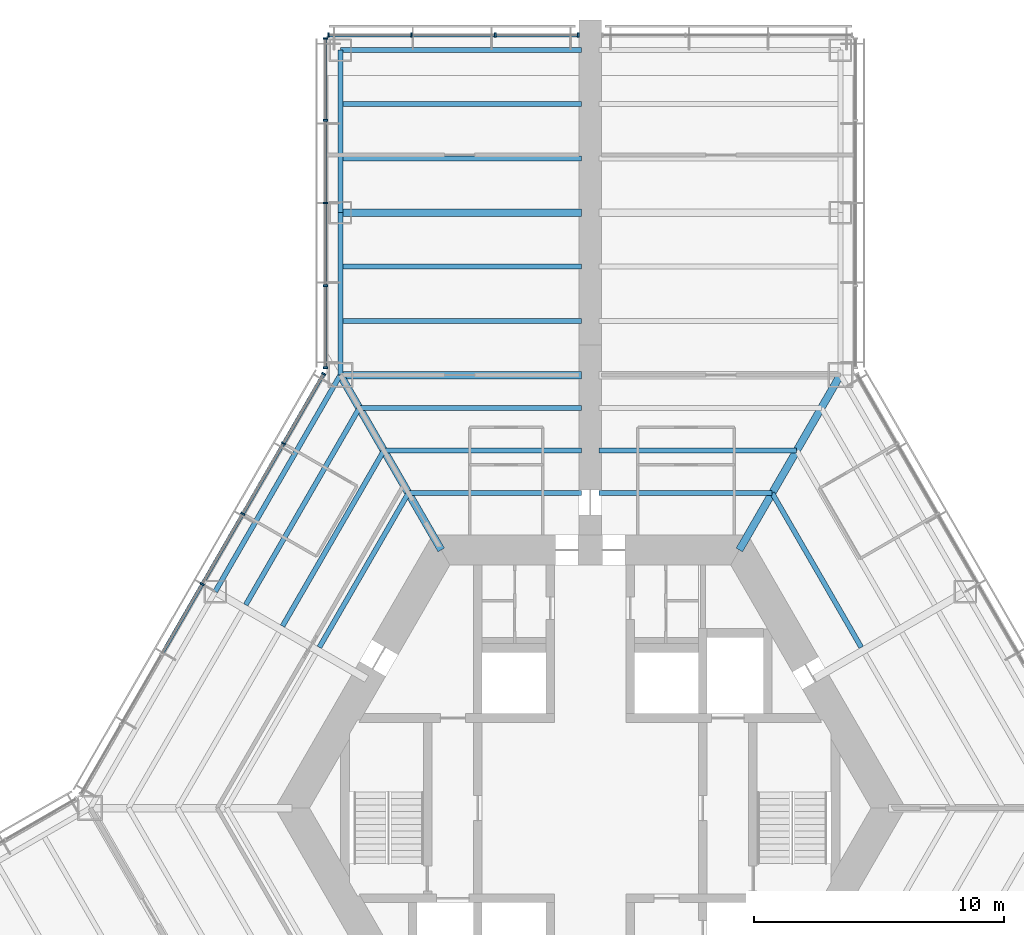
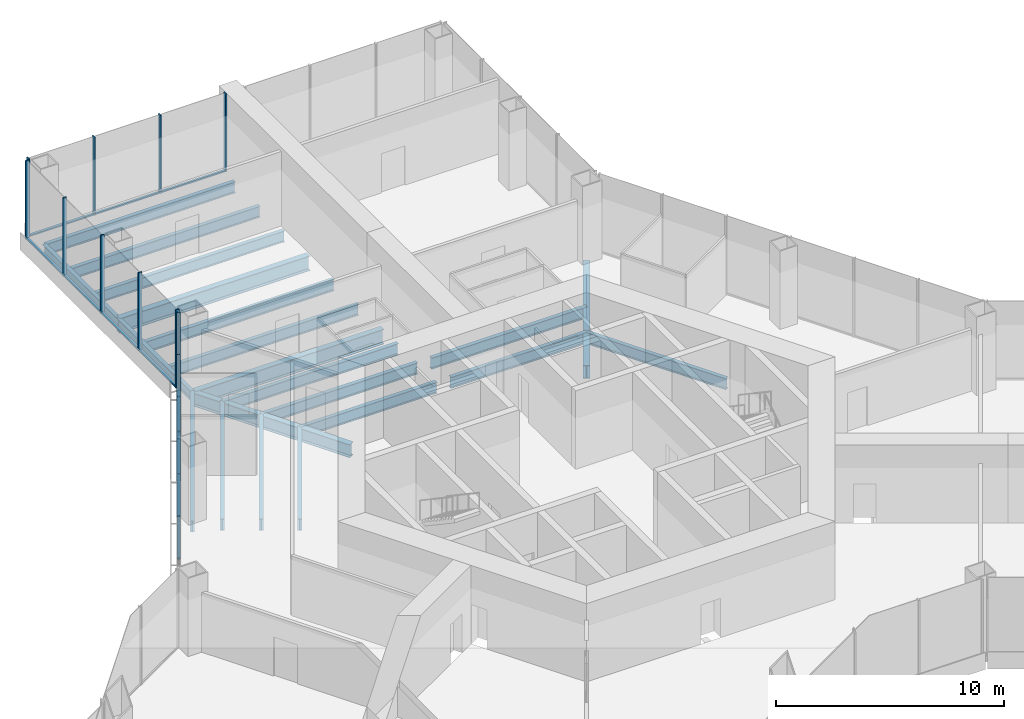
# One storey, part 6 of 16: 24 members, 21 beams, 3 elements without a shape of their own.
"""IFC4 building model written with IfcOpenShell, lengths in metres."""

from ifc_helpers import new_model, si_unit, direction, frame, origin, origin_2d, place, context, subcontext, project, spatial, rectangle, i_section, extrude, material, material_profile, profile_set, type_object, element, aggregate, save


model = new_model("IFC4")

# Units and contexts
model_context = context("Model", 3, precision=1e-05, world=origin(), true_north=direction((0.0, 1.0)))
body_context = subcontext(model_context, "Body", "Model", "MODEL_VIEW")
ifc_project = project(units=[si_unit("LENGTHUNIT", "METRE"), si_unit("AREAUNIT", "SQUARE_METRE"), si_unit("VOLUMEUNIT", "CUBIC_METRE"), si_unit("PLANEANGLEUNIT", "RADIAN"), si_unit("MASSUNIT", "GRAM", prefix="KILO")], contexts=[model_context])

# Site, building, storey
site_placement = place(None, origin())
site = spatial("IfcSite", under=ifc_project, at=site_placement, CompositionType="ELEMENT")
building_placement = place(site_placement, origin())
building = spatial("IfcBuilding", under=site, at=building_placement, Name="Kasaneha Research Tower", CompositionType="ELEMENT")
storey_placement = place(building_placement, frame((0.0, 0.0, 14.199951171875)))
storey = spatial("IfcBuildingStorey", under=building, at=storey_placement, Name="L04", CompositionType="ELEMENT", Elevation=14.199951171875)

# Beams
ifc_material_1 = material(Name="Steel SN490B", Category="steel")
ifc_material_profile_1 = material_profile(ifc_material_1, i_section(OverallWidth=0.199951171875, OverallDepth=0.60009765625, WebThickness=0.010986328125, FlangeThickness=0.01708984375, FilletRadius=0.012939453125, at=origin_2d()), Name="H-600x200x11x17")
ifc_profile_set_1 = profile_set([ifc_material_profile_1], Name="Steel SN490B")
beam_type_1 = type_object("IfcBeamType", Name="B1-1 secondary beam H-600x200x11x17", PredefinedType="JOIST", material=ifc_profile_set_1)
beam_1_placement = place(storey_placement, frame((7.274658203125, 12.60009765625, -0.5), z_axis=(0.499990404686, -0.866030943571, 0.0), x_axis=(0.866030943571, 0.499990404686, 0.0)))
element("IfcBeam", 1, at=beam_1_placement, inside=storey, type_object=beam_type_1, Name="Secondary beam RS030R1 L04", PredefinedType="JOIST", context=body_context, shape_type="SweptSolid", body=[
    extrude(i_section(OverallWidth=0.199951171875, OverallDepth=0.60009765625, WebThickness=0.010986328125, FlangeThickness=0.01708984375, FilletRadius=0.012939453125, at=origin_2d()), origin(), (0.0, 0.0, 1.0), 7.124755859375),
])
beam_2_placement = place(storey_placement, frame((7.274658203125, 12.60009765625, -0.5), z_axis=(-1.0, 0.0, 0.0), x_axis=(0.0, -1.0, 0.0)))
element("IfcBeam", 2, at=beam_2_placement, inside=storey, type_object=beam_type_1, Name="Secondary beam RS090L1 L04", PredefinedType="JOIST", context=body_context, shape_type="SweptSolid", body=[
    extrude(i_section(OverallWidth=0.199951171875, OverallDepth=0.60009765625, WebThickness=0.010986328125, FlangeThickness=0.01708984375, FilletRadius=0.012939453125, at=origin_2d()), origin(), (0.0, 0.0, 1.0), 6.924560546875),
])
beam_3_placement = place(storey_placement, frame((8.256103515625, 14.300048828125, -0.5), z_axis=(-1.0, 0.0, 0.0), x_axis=(0.0, -1.0, 0.0)))
element("IfcBeam", 3, at=beam_3_placement, inside=storey, type_object=beam_type_1, Name="Secondary beam RS090L2 L04", PredefinedType="JOIST", context=body_context, shape_type="SweptSolid", body=[
    extrude(i_section(OverallWidth=0.199951171875, OverallDepth=0.60009765625, WebThickness=0.010986328125, FlangeThickness=0.01708984375, FilletRadius=0.012939453125, at=origin_2d()), origin(), (0.0, 0.0, 1.0), 7.906005859375),
])
beam_4_placement = place(storey_placement, frame((-7.274658203125, 12.60009765625, -0.5), z_axis=(1.0, 0.0, 0.0), x_axis=(0.0, 1.0, 0.0)))
element("IfcBeam", 4, at=beam_4_placement, inside=storey, type_object=beam_type_1, Name="Secondary beam RS090R1 L04", PredefinedType="JOIST", context=body_context, shape_type="SweptSolid", body=[
    extrude(i_section(OverallWidth=0.199951171875, OverallDepth=0.60009765625, WebThickness=0.010986328125, FlangeThickness=0.01708984375, FilletRadius=0.012939453125, at=origin_2d()), origin(), (0.0, 0.0, 1.0), 6.924560546875),
])
beam_5_placement = place(storey_placement, frame((-8.256103515625, 14.300048828125, -0.5), z_axis=(1.0, 0.0, 0.0), x_axis=(0.0, 1.0, 0.0)))
element("IfcBeam", 5, at=beam_5_placement, inside=storey, type_object=beam_type_1, Name="Secondary beam RS090R2 L04", PredefinedType="JOIST", context=body_context, shape_type="SweptSolid", body=[
    extrude(i_section(OverallWidth=0.199951171875, OverallDepth=0.60009765625, WebThickness=0.010986328125, FlangeThickness=0.01708984375, FilletRadius=0.012939453125, at=origin_2d()), origin(), (0.0, 0.0, 1.0), 7.906005859375),
])
beam_6_placement = place(storey_placement, frame((-9.237548828125, 16.0, -0.5), z_axis=(1.0, 0.0, 0.0), x_axis=(0.0, 1.0, 0.0)))
element("IfcBeam", 6, at=beam_6_placement, inside=storey, type_object=beam_type_1, Name="Secondary beam RS090R3 L04", PredefinedType="JOIST", context=body_context, shape_type="SweptSolid", body=[
    extrude(i_section(OverallWidth=0.199951171875, OverallDepth=0.60009765625, WebThickness=0.010986328125, FlangeThickness=0.01708984375, FilletRadius=0.012939453125, at=origin_2d()), origin(), (0.0, 0.0, 1.0), 8.887451171875),
])
beam_7_placement = place(storey_placement, frame((-7.274658203125, 12.60009765625, -0.5), z_axis=(-0.499990404686, -0.866030943571, 0.0), x_axis=(0.866030943571, -0.499990404686, 0.0)))
element("IfcBeam", 7, at=beam_7_placement, inside=storey, type_object=beam_type_1, Name="Secondary beam RS150L1 L04", PredefinedType="JOIST", context=body_context, shape_type="SweptSolid", body=[
    extrude(i_section(OverallWidth=0.199951171875, OverallDepth=0.60009765625, WebThickness=0.010986328125, FlangeThickness=0.01708984375, FilletRadius=0.012939453125, at=origin_2d()), origin(), (0.0, 0.0, 1.0), 7.124755859375),
])
beam_8_placement = place(storey_placement, frame((-8.256103515625, 14.300048828125, -0.5), z_axis=(-0.499984030215, -0.866034623748, 0.0), x_axis=(0.866034623748, -0.499984030215, 0.0)))
element("IfcBeam", 8, at=beam_8_placement, inside=storey, type_object=beam_type_1, Name="Secondary beam RS150L2 L04", PredefinedType="JOIST", context=body_context, shape_type="SweptSolid", body=[
    extrude(i_section(OverallWidth=0.199951171875, OverallDepth=0.60009765625, WebThickness=0.010986328125, FlangeThickness=0.01708984375, FilletRadius=0.012939453125, at=origin_2d()), origin(), (0.0, 0.0, 1.0), 8.106201171875),
])
beam_9_placement = place(storey_placement, frame((-9.237548828125, 16.0, -0.5), z_axis=(-0.500010814234, -0.866019160093, 0.0), x_axis=(0.866019160093, -0.500010814234, 0.0)))
element("IfcBeam", 9, at=beam_9_placement, inside=storey, type_object=beam_type_1, Name="Secondary beam RS150L3 L04", PredefinedType="JOIST", context=body_context, shape_type="SweptSolid", body=[
    extrude(i_section(OverallWidth=0.199951171875, OverallDepth=0.60009765625, WebThickness=0.010986328125, FlangeThickness=0.01708984375, FilletRadius=0.012939453125, at=origin_2d()), origin(), (0.0, 0.0, 1.0), 9.087646484375),
])
ifc_material_2 = material(Name="Steel SN490B", Category="steel")
ifc_material_profile_2 = material_profile(ifc_material_2, i_section(OverallWidth=0.198974609375, OverallDepth=0.595947265625, WebThickness=0.010009765625, FlangeThickness=0.014892578125, FilletRadius=0.012939453125, at=origin_2d()), Name="H-596x199x10x15")
ifc_profile_set_2 = profile_set([ifc_material_profile_2], Name="Steel SN490B")
beam_type_2 = type_object("IfcBeamType", Name="B2-1 secondary beam H-596x199x10x15", PredefinedType="JOIST", material=ifc_profile_set_2)
for number, where, z_axis, x_axis, name in (
    (10, (-10.0, 19.487060546875, -0.498046875), (1.0, 0.0, 0.0), (0.0, 1.0, 0.0), "Secondary beam WBAN1 L04"),
    (11, (-10.0, 21.65380859375, -0.498046875), (1.0, 0.0, 0.0), (0.0, 1.0, 0.0), "Secondary beam WBAN2 L04"),
    (12, (-10.0, 25.987060546875, -0.498046875), (1.0, 0.0, 0.0), (0.0, 1.0, 0.0), "Secondary beam WBAN3 L04"),
    (13, (-10.0, 28.15380859375, -0.498046875), (1.0, 0.0, 0.0), (0.0, 1.0, 0.0), "Secondary beam WBAN4 L04"),
):
    element("IfcBeam", number, at=place(storey_placement, frame(where, z_axis=z_axis, x_axis=x_axis)), inside=storey, type_object=beam_type_2, Name=name, PredefinedType="JOIST", context=body_context, shape_type="SweptSolid", body=[
        extrude(i_section(OverallWidth=0.198974609375, OverallDepth=0.595947265625, WebThickness=0.010009765625, FlangeThickness=0.014892578125, FilletRadius=0.012939453125, at=origin_2d()), origin(), (0.0, 0.0, 1.0), 9.64990234375),
    ])

# Curtain wall, members
ifc_material_3 = material(Name="Glass and aluminium", Category="aluminium")
curtain_wall_type = type_object("IfcCurtainWallType", Name="Wet laboratory curtain wall", PredefinedType="USERDEFINED", material=ifc_material_3)
curtain_wall_1_placement = place(storey_placement, origin())
curtain_wall_1 = element("IfcCurtainWall", 14, at=curtain_wall_1_placement, inside=storey, type_object=curtain_wall_type, Name="CW-L1 L04 run 10a", ObjectType="UNITISED CURTAIN WALL", PredefinedType="USERDEFINED")
ifc_material_4 = material(Name="Aluminium 6063-T6", Category="aluminium")
ifc_material_profile_3 = material_profile(ifc_material_4, rectangle(XDim=0.06494140625, YDim=0.179931640625, at=origin_2d()), Name="CW-L1 mullion 65x180")
ifc_profile_set_3 = profile_set([ifc_material_profile_3], Name="Aluminium 6063-T6")
member_type_1 = type_object("IfcMemberType", Name="CW-L1 mullion", PredefinedType="MULLION", material=ifc_profile_set_3)
member_1_placement = place(storey_placement, frame((-0.482421875, 30.92041015625, 0.0), z_axis=(0.0, 0.0, 1.0), x_axis=(-1.0, 0.0, 0.0)))
member_1 = element("IfcMember", 15, at=member_1_placement, type_object=member_type_1, Name="CW-L1 mullion 1", PredefinedType="MULLION", context=body_context, shape_type="SweptSolid", body=[
    extrude(rectangle(XDim=0.06494140625, YDim=0.179931640625, at=origin_2d()), origin(), (0.0, 0.0, 1.0), 4.199951171875),
])
member_2_placement = place(storey_placement, frame((-3.800048828125, 30.92041015625, 0.0), z_axis=(0.0, 0.0, 1.0), x_axis=(-1.0, 0.0, 0.0)))
member_2 = element("IfcMember", 16, at=member_2_placement, type_object=member_type_1, Name="CW-L1 mullion 2", PredefinedType="MULLION", context=body_context, shape_type="SweptSolid", body=[
    extrude(rectangle(XDim=0.06494140625, YDim=0.179931640625, at=origin_2d()), origin(), (0.0, 0.0, 1.0), 4.199951171875),
])
member_3_placement = place(storey_placement, frame((-7.14990234375, 30.92041015625, 0.0), z_axis=(0.0, 0.0, 1.0), x_axis=(-1.0, 0.0, 0.0)))
member_3 = element("IfcMember", 17, at=member_3_placement, type_object=member_type_1, Name="CW-L1 mullion 3", PredefinedType="MULLION", context=body_context, shape_type="SweptSolid", body=[
    extrude(rectangle(XDim=0.06494140625, YDim=0.179931640625, at=origin_2d()), origin(), (0.0, 0.0, 1.0), 4.199951171875),
])
member_4_placement = place(storey_placement, frame((-10.467529296875, 30.92041015625, 0.0), z_axis=(0.0, 0.0, 1.0), x_axis=(-1.0, 0.0, 0.0)))
member_4 = element("IfcMember", 18, at=member_4_placement, type_object=member_type_1, Name="CW-L1 mullion 4", PredefinedType="MULLION", context=body_context, shape_type="SweptSolid", body=[
    extrude(rectangle(XDim=0.06494140625, YDim=0.179931640625, at=origin_2d()), origin(), (0.0, 0.0, 1.0), 4.199951171875),
])

curtain_wall_2_placement = place(storey_placement, origin())
curtain_wall_2 = element("IfcCurtainWall", 19, at=curtain_wall_2_placement, inside=storey, type_object=curtain_wall_type, Name="CW-L1 L04 run 11a", ObjectType="UNITISED CURTAIN WALL", PredefinedType="USERDEFINED")
member_5_placement = place(storey_placement, frame((-10.60009765625, 30.7880859375, 0.0), z_axis=(0.0, 0.0, 1.0), x_axis=(0.0, -1.0, 0.0)))
member_5 = element("IfcMember", 20, at=member_5_placement, type_object=member_type_1, Name="CW-L1 mullion 1", PredefinedType="MULLION", context=body_context, shape_type="SweptSolid", body=[
    extrude(rectangle(XDim=0.06494140625, YDim=0.179931640625, at=origin_2d()), origin(), (0.0, 0.0, 1.0), 4.199951171875),
])
member_6_placement = place(storey_placement, frame((-10.60009765625, 27.5107421875, 0.0), z_axis=(0.0, 0.0, 1.0), x_axis=(0.0, -1.0, 0.0)))
member_6 = element("IfcMember", 21, at=member_6_placement, type_object=member_type_1, Name="CW-L1 mullion 2", PredefinedType="MULLION", context=body_context, shape_type="SweptSolid", body=[
    extrude(rectangle(XDim=0.06494140625, YDim=0.179931640625, at=origin_2d()), origin(), (0.0, 0.0, 1.0), 4.199951171875),
])
member_7_placement = place(storey_placement, frame((-10.60009765625, 24.200927734375, 0.0), z_axis=(0.0, 0.0, 1.0), x_axis=(0.0, -1.0, 0.0)))
member_7 = element("IfcMember", 22, at=member_7_placement, type_object=member_type_1, Name="CW-L1 mullion 3", PredefinedType="MULLION", context=body_context, shape_type="SweptSolid", body=[
    extrude(rectangle(XDim=0.06494140625, YDim=0.179931640625, at=origin_2d()), origin(), (0.0, 0.0, 1.0), 4.199951171875),
])
member_8_placement = place(storey_placement, frame((-10.60009765625, 20.89111328125, 0.0), z_axis=(0.0, 0.0, 1.0), x_axis=(0.0, -1.0, 0.0)))
member_8 = element("IfcMember", 23, at=member_8_placement, type_object=member_type_1, Name="CW-L1 mullion 4", PredefinedType="MULLION", context=body_context, shape_type="SweptSolid", body=[
    extrude(rectangle(XDim=0.06494140625, YDim=0.179931640625, at=origin_2d()), origin(), (0.0, 0.0, 1.0), 4.199951171875),
])
member_9_placement = place(storey_placement, frame((-10.60009765625, 17.61376953125, 0.0), z_axis=(0.0, 0.0, 1.0), x_axis=(0.0, -1.0, 0.0)))
member_9 = element("IfcMember", 24, at=member_9_placement, type_object=member_type_1, Name="CW-L1 mullion 5", PredefinedType="MULLION", context=body_context, shape_type="SweptSolid", body=[
    extrude(rectangle(XDim=0.06494140625, YDim=0.179931640625, at=origin_2d()), origin(), (0.0, 0.0, 1.0), 4.199951171875),
])

curtain_wall_3_placement = place(storey_placement, origin())
curtain_wall_3 = element("IfcCurtainWall", 25, at=curtain_wall_3_placement, inside=storey, type_object=curtain_wall_type, Name="CW-L1 L04 run 12a", ObjectType="UNITISED CURTAIN WALL", PredefinedType="USERDEFINED")
member_10_placement = place(storey_placement, frame((-10.666259765625, 17.366455078125, 0.0), z_axis=(0.0, 0.0, 1.0), x_axis=(-0.49999996188, -0.866025425793, 0.0)))
member_10 = element("IfcMember", 26, at=member_10_placement, type_object=member_type_1, Name="CW-L1 mullion 1", PredefinedType="MULLION", context=body_context, shape_type="SweptSolid", body=[
    extrude(rectangle(XDim=0.06494140625, YDim=0.179931640625, at=origin_2d()), origin(), (0.0, 0.0, 1.0), 4.199951171875),
])
member_11_placement = place(storey_placement, frame((-12.273193359375, 14.583251953125, 0.0), z_axis=(0.0, 0.0, 1.0), x_axis=(-0.49999996188, -0.866025425793, 0.0)))
member_11 = element("IfcMember", 27, at=member_11_placement, type_object=member_type_1, Name="CW-L1 mullion 2", PredefinedType="MULLION", context=body_context, shape_type="SweptSolid", body=[
    extrude(rectangle(XDim=0.06494140625, YDim=0.179931640625, at=origin_2d()), origin(), (0.0, 0.0, 1.0), 4.199951171875),
])
member_12_placement = place(storey_placement, frame((-13.896484375, 11.771728515625, 0.0), z_axis=(0.0, 0.0, 1.0), x_axis=(-0.49999996188, -0.866025425793, 0.0)))
member_12 = element("IfcMember", 28, at=member_12_placement, type_object=member_type_1, Name="CW-L1 mullion 3", PredefinedType="MULLION", context=body_context, shape_type="SweptSolid", body=[
    extrude(rectangle(XDim=0.06494140625, YDim=0.179931640625, at=origin_2d()), origin(), (0.0, 0.0, 1.0), 4.199951171875),
])
member_13_placement = place(storey_placement, frame((-15.51953125, 8.960205078125, 0.0), z_axis=(0.0, 0.0, 1.0), x_axis=(-0.49999996188, -0.866025425793, 0.0)))
member_13 = element("IfcMember", 29, at=member_13_placement, type_object=member_type_1, Name="CW-L1 mullion 4", PredefinedType="MULLION", context=body_context, shape_type="SweptSolid", body=[
    extrude(rectangle(XDim=0.06494140625, YDim=0.179931640625, at=origin_2d()), origin(), (0.0, 0.0, 1.0), 4.199951171875),
])

# Member
ifc_material_5 = material(Name="Aluminium 6063-T6", Category="aluminium")
ifc_material_profile_4 = material_profile(ifc_material_5, rectangle(XDim=0.139892578125, YDim=0.06494140625, at=origin_2d()), Name="CW-L1 transom 140x65")
ifc_profile_set_4 = profile_set([ifc_material_profile_4], Name="Aluminium 6063-T6")
member_type_2 = type_object("IfcMemberType", Name="CW-L1 transom", PredefinedType="USERDEFINED", material=ifc_profile_set_4)
member_14_placement = place(storey_placement, frame((-0.514892578125, 30.92041015625, 0.032470703125), z_axis=(-1.0, 0.0, 0.0), x_axis=(0.0, -1.0, 0.0)))
member_14 = element("IfcMember", 30, at=member_14_placement, type_object=member_type_2, Name="CW-L1 transom 1", ObjectType="TRANSOM", PredefinedType="USERDEFINED", context=body_context, shape_type="SweptSolid", body=[
    extrude(rectangle(XDim=0.139892578125, YDim=0.06494140625, at=origin_2d()), origin(), (0.0, 0.0, 1.0), 3.252685546875),
])

member_15_placement = place(storey_placement, frame((-3.83251953125, 30.92041015625, 0.032470703125), z_axis=(-1.0, 0.0, 0.0), x_axis=(0.0, -1.0, 0.0)))
member_15 = element("IfcMember", 31, at=member_15_placement, type_object=member_type_2, Name="CW-L1 transom 2", ObjectType="TRANSOM", PredefinedType="USERDEFINED", context=body_context, shape_type="SweptSolid", body=[
    extrude(rectangle(XDim=0.139892578125, YDim=0.06494140625, at=origin_2d()), origin(), (0.0, 0.0, 1.0), 3.284912109375),
])

member_16_placement = place(storey_placement, frame((-7.1826171875, 30.92041015625, 0.032470703125), z_axis=(-1.0, 0.0, 0.0), x_axis=(0.0, -1.0, 0.0)))
member_16 = element("IfcMember", 32, at=member_16_placement, type_object=member_type_2, Name="CW-L1 transom 3", ObjectType="TRANSOM", PredefinedType="USERDEFINED", context=body_context, shape_type="SweptSolid", body=[
    extrude(rectangle(XDim=0.139892578125, YDim=0.06494140625, at=origin_2d()), origin(), (0.0, 0.0, 1.0), 3.25244140625),
])

aggregate(curtain_wall_1, [member_1, member_2, member_3, member_4, member_14, member_15, member_16])

member_17_placement = place(storey_placement, frame((-10.60009765625, 30.755615234375, 0.032470703125), z_axis=(0.0, -1.0, 0.0), x_axis=(1.0, 0.0, 0.0)))
member_17 = element("IfcMember", 33, at=member_17_placement, type_object=member_type_2, Name="CW-L1 transom 1", ObjectType="TRANSOM", PredefinedType="USERDEFINED", context=body_context, shape_type="SweptSolid", body=[
    extrude(rectangle(XDim=0.139892578125, YDim=0.06494140625, at=origin_2d()), origin(), (0.0, 0.0, 1.0), 3.21240234375),
])

member_18_placement = place(storey_placement, frame((-10.60009765625, 27.478271484375, 0.032470703125), z_axis=(0.0, -1.0, 0.0), x_axis=(1.0, 0.0, 0.0)))
member_18 = element("IfcMember", 34, at=member_18_placement, type_object=member_type_2, Name="CW-L1 transom 2", ObjectType="TRANSOM", PredefinedType="USERDEFINED", context=body_context, shape_type="SweptSolid", body=[
    extrude(rectangle(XDim=0.139892578125, YDim=0.06494140625, at=origin_2d()), origin(), (0.0, 0.0, 1.0), 3.244873046875),
])

member_19_placement = place(storey_placement, frame((-10.60009765625, 24.16845703125, 0.032470703125), z_axis=(0.0, -1.0, 0.0), x_axis=(1.0, 0.0, 0.0)))
member_19 = element("IfcMember", 35, at=member_19_placement, type_object=member_type_2, Name="CW-L1 transom 3", ObjectType="TRANSOM", PredefinedType="USERDEFINED", context=body_context, shape_type="SweptSolid", body=[
    extrude(rectangle(XDim=0.139892578125, YDim=0.06494140625, at=origin_2d()), origin(), (0.0, 0.0, 1.0), 3.244873046875),
])

member_20_placement = place(storey_placement, frame((-10.60009765625, 20.858642578125, 0.032470703125), z_axis=(0.0, -1.0, 0.0), x_axis=(1.0, 0.0, 0.0)))
member_20 = element("IfcMember", 36, at=member_20_placement, type_object=member_type_2, Name="CW-L1 transom 4", ObjectType="TRANSOM", PredefinedType="USERDEFINED", context=body_context, shape_type="SweptSolid", body=[
    extrude(rectangle(XDim=0.139892578125, YDim=0.06494140625, at=origin_2d()), origin(), (0.0, 0.0, 1.0), 3.21240234375),
])

aggregate(curtain_wall_2, [member_5, member_6, member_7, member_8, member_9, member_17, member_18, member_19, member_20])

member_21_placement = place(storey_placement, frame((-10.6826171875, 17.33837890625, 0.032470703125), z_axis=(-0.499941702305, -0.866059059358, 0.0), x_axis=(0.866059059358, -0.499941702305, 0.0)))
member_21 = element("IfcMember", 37, at=member_21_placement, type_object=member_type_2, Name="CW-L1 transom 1", ObjectType="TRANSOM", PredefinedType="USERDEFINED", context=body_context, shape_type="SweptSolid", body=[
    extrude(rectangle(XDim=0.139892578125, YDim=0.06494140625, at=origin_2d()), origin(), (0.0, 0.0, 1.0), 3.14892578125),
])

member_22_placement = place(storey_placement, frame((-12.28955078125, 14.55517578125, 0.032470703125), z_axis=(-0.499943876812, -0.866057804098, 0.0), x_axis=(0.866057804098, -0.499943876812, 0.0)))
member_22 = element("IfcMember", 38, at=member_22_placement, type_object=member_type_2, Name="CW-L1 transom 2", ObjectType="TRANSOM", PredefinedType="USERDEFINED", context=body_context, shape_type="SweptSolid", body=[
    extrude(rectangle(XDim=0.139892578125, YDim=0.06494140625, at=origin_2d()), origin(), (0.0, 0.0, 1.0), 3.181396484375),
])

member_23_placement = place(storey_placement, frame((-13.91259765625, 11.74365234375, 0.032470703125), z_axis=(-0.500001430823, -0.866024577697, 0.0), x_axis=(0.866024577697, -0.500001430823, 0.0)))
member_23 = element("IfcMember", 39, at=member_23_placement, type_object=member_type_2, Name="CW-L1 transom 3", ObjectType="TRANSOM", PredefinedType="USERDEFINED", context=body_context, shape_type="SweptSolid", body=[
    extrude(rectangle(XDim=0.139892578125, YDim=0.06494140625, at=origin_2d()), origin(), (0.0, 0.0, 1.0), 3.181640625),
])

member_24_placement = place(storey_placement, frame((-15.535888671875, 8.93212890625, 0.032470703125), z_axis=(-0.499977104415, -0.866038622153, 0.0), x_axis=(0.866038622153, -0.499977104415, 0.0)))
member_24 = element("IfcMember", 40, at=member_24_placement, type_object=member_type_2, Name="CW-L1 transom 4", ObjectType="TRANSOM", PredefinedType="USERDEFINED", context=body_context, shape_type="SweptSolid", body=[
    extrude(rectangle(XDim=0.139892578125, YDim=0.06494140625, at=origin_2d()), origin(), (0.0, 0.0, 1.0), 3.181396484375),
])

aggregate(curtain_wall_3, [member_10, member_11, member_12, member_13, member_21, member_22, member_23, member_24])

# Beams
ifc_material_6 = material(Name="Steel SN490B", Category="steel")
ifc_material_profile_5 = material_profile(ifc_material_6, i_section(OverallWidth=0.300048828125, OverallDepth=0.699951171875, WebThickness=0.012939453125, FlangeThickness=0.02392578125, FilletRadius=0.01806640625, at=origin_2d()), Name="H-700x300x13x24")
ifc_profile_set_5 = profile_set([ifc_material_profile_5], Name="Steel SN490B")
beam_type_3 = type_object("IfcBeamType", Name="G1-1 radial girder H-700x300x13x24", PredefinedType="BEAM", material=ifc_profile_set_5)
for number, where, z_axis, x_axis, name in (
    (41, (5.961181640625, 10.324951171875, -0.550048828125), (0.49999105496, 0.866030568144, 0.0), (-0.866030568144, 0.49999105496, 0.0), "Radial girder RV060 L04"),
    (42, (-5.961181640625, 10.324951171875, -0.550048828125), (-0.49999105496, 0.866030568144, 0.0), (-0.866030568144, -0.49999105496, 0.0), "Radial girder RV120 L04"),
):
    element("IfcBeam", number, at=place(storey_placement, frame(where, z_axis=z_axis, x_axis=x_axis)), inside=storey, type_object=beam_type_3, Name=name, PredefinedType="BEAM", context=body_context, shape_type="SweptSolid", body=[
        extrude(i_section(OverallWidth=0.300048828125, OverallDepth=0.699951171875, WebThickness=0.012939453125, FlangeThickness=0.02392578125, FilletRadius=0.01806640625, at=origin_2d()), origin(), (0.0, 0.0, 1.0), 8.077880859375),
    ])
ifc_material_7 = material(Name="Steel SN490B", Category="steel")
ifc_material_profile_6 = material_profile(ifc_material_7, i_section(OverallWidth=0.300048828125, OverallDepth=0.7919921875, WebThickness=0.013916015625, FlangeThickness=0.02197265625, FilletRadius=0.01806640625, at=origin_2d()), Name="H-792x300x14x22")
ifc_profile_set_6 = profile_set([ifc_material_profile_6], Name="Steel SN490B")
beam_type_4 = type_object("IfcBeamType", Name="G3-1 plate edge girder H-792x300x14x22", PredefinedType="BEAM", material=ifc_profile_set_6)
beam_10_placement = place(storey_placement, frame((-10.0, 17.320556640625, -0.595947265625), z_axis=(1.0, 0.0, 0.0), x_axis=(0.0, 1.0, 0.0)))
element("IfcBeam", 43, at=beam_10_placement, inside=storey, type_object=beam_type_4, Name="Plate edge girder PEAN L04", PredefinedType="BEAM", context=body_context, shape_type="SweptSolid", body=[
    extrude(i_section(OverallWidth=0.300048828125, OverallDepth=0.7919921875, WebThickness=0.013916015625, FlangeThickness=0.02197265625, FilletRadius=0.01806640625, at=origin_2d()), origin(), (0.0, 0.0, 1.0), 9.64990234375),
])
ifc_material_8 = material(Name="Steel SN490B", Category="steel")
ifc_material_profile_7 = material_profile(ifc_material_8, i_section(OverallWidth=0.300048828125, OverallDepth=0.800048828125, WebThickness=0.013916015625, FlangeThickness=0.02587890625, FilletRadius=0.01806640625, at=origin_2d()), Name="H-800x300x14x26")
ifc_profile_set_7 = profile_set([ifc_material_profile_7], Name="Steel SN490B")
beam_type_5 = type_object("IfcBeamType", Name="G4-1 wing girder H-800x300x14x26", PredefinedType="BEAM", material=ifc_profile_set_7)
beam_11_placement = place(storey_placement, frame((-10.0, 23.820556640625, -0.599853515625), z_axis=(1.0, 0.0, 0.0), x_axis=(0.0, 1.0, 0.0)))
element("IfcBeam", 44, at=beam_11_placement, inside=storey, type_object=beam_type_5, Name="Wing girder WGAN L04", PredefinedType="BEAM", context=body_context, shape_type="SweptSolid", body=[
    extrude(i_section(OverallWidth=0.300048828125, OverallDepth=0.800048828125, WebThickness=0.013916015625, FlangeThickness=0.02587890625, FilletRadius=0.01806640625, at=origin_2d()), origin(), (0.0, 0.0, 1.0), 9.64990234375),
])
ifc_material_9 = material(Name="Steel SN490B", Category="steel")
ifc_material_profile_8 = material_profile(ifc_material_9, i_section(OverallWidth=0.199951171875, OverallDepth=0.60009765625, WebThickness=0.010986328125, FlangeThickness=0.01708984375, FilletRadius=0.012939453125, at=origin_2d()), Name="H-600x200x11x17")
ifc_profile_set_8 = profile_set([ifc_material_profile_8], Name="Steel SN490B")
beam_type_6 = type_object("IfcBeamType", Name="SB1-1 spandrel beam H-600x200x11x17", PredefinedType="SPANDREL", material=ifc_profile_set_8)
beam_12_placement = place(storey_placement, frame((-10.0, 17.320556640625, -0.5), z_axis=(-0.499993662806, -0.866029062534, 0.0), x_axis=(0.866029062534, -0.499993662806, 0.0)))
element("IfcBeam", 45, at=beam_12_placement, inside=storey, type_object=beam_type_6, Name="Spandrel beam SR150L L04", PredefinedType="SPANDREL", context=body_context, shape_type="SweptSolid", body=[
    extrude(i_section(OverallWidth=0.199951171875, OverallDepth=0.60009765625, WebThickness=0.010986328125, FlangeThickness=0.01708984375, FilletRadius=0.012939453125, at=origin_2d()), origin(), (0.0, 0.0, 1.0), 10.000244140625),
])
ifc_material_10 = material(Name="Steel SN490B", Category="steel")
ifc_material_profile_9 = material_profile(ifc_material_10, i_section(OverallWidth=0.199951171875, OverallDepth=0.5, WebThickness=0.010009765625, FlangeThickness=0.01611328125, FilletRadius=0.012939453125, at=origin_2d()), Name="H-500x200x10x16")
ifc_profile_set_9 = profile_set([ifc_material_profile_9], Name="Steel SN490B")
beam_type_7 = type_object("IfcBeamType", Name="SB2-1 spandrel beam H-500x200x10x16", PredefinedType="SPANDREL", material=ifc_profile_set_9)
for number, where, z_axis, x_axis, name in (
    (46, (-10.0, 17.320556640625, -0.449951171875), (0.0, 1.0, 0.0), (-1.0, 0.0, 0.0), "Spandrel beam WSAN1 L04"),
    (47, (-10.0, 23.820556640625, -0.449951171875), (0.0, 1.0, 0.0), (-1.0, 0.0, 0.0), "Spandrel beam WSAN2 L04"),
):
    element("IfcBeam", number, at=place(storey_placement, frame(where, z_axis=z_axis, x_axis=x_axis)), inside=storey, type_object=beam_type_7, Name=name, PredefinedType="SPANDREL", context=body_context, shape_type="SweptSolid", body=[
        extrude(i_section(OverallWidth=0.199951171875, OverallDepth=0.5, WebThickness=0.010009765625, FlangeThickness=0.01611328125, FilletRadius=0.012939453125, at=origin_2d()), origin(), (0.0, 0.0, 1.0), 6.5),
    ])
ifc_material_11 = material(Name="Steel SN490B", Category="steel")
ifc_material_profile_10 = material_profile(ifc_material_11, i_section(OverallWidth=0.199951171875, OverallDepth=0.60009765625, WebThickness=0.010986328125, FlangeThickness=0.01708984375, FilletRadius=0.012939453125, at=origin_2d()), Name="H-600x200x11x17")
ifc_profile_set_10 = profile_set([ifc_material_profile_10], Name="Steel SN490B")
beam_type_8 = type_object("IfcBeamType", Name="SB3-1 spandrel beam H-600x200x11x17", PredefinedType="SPANDREL", material=ifc_profile_set_10)
beam_13_placement = place(storey_placement, frame((-10.0, 30.320556640625, -0.5), z_axis=(1.0, 0.0, 0.0), x_axis=(0.0, 1.0, 0.0)))
element("IfcBeam", 48, at=beam_13_placement, inside=storey, type_object=beam_type_8, Name="Spandrel beam WTAN L04", PredefinedType="SPANDREL", context=body_context, shape_type="SweptSolid", body=[
    extrude(i_section(OverallWidth=0.199951171875, OverallDepth=0.60009765625, WebThickness=0.010986328125, FlangeThickness=0.01708984375, FilletRadius=0.012939453125, at=origin_2d()), origin(), (0.0, 0.0, 1.0), 9.64990234375),
])

save(model, "model.ifc")
